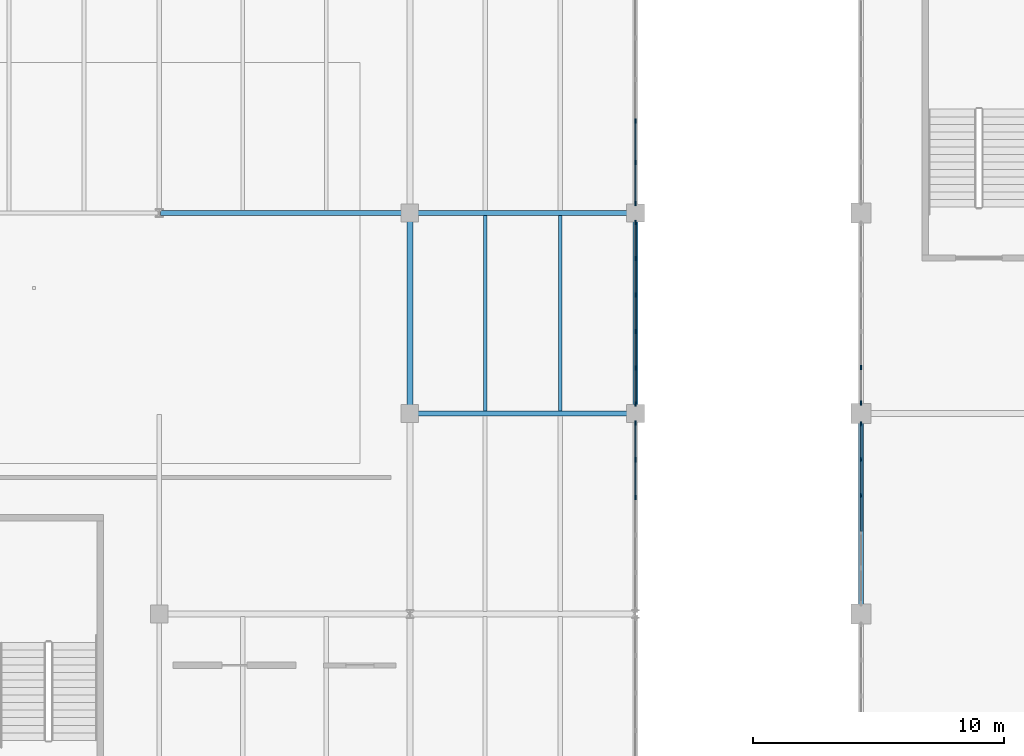
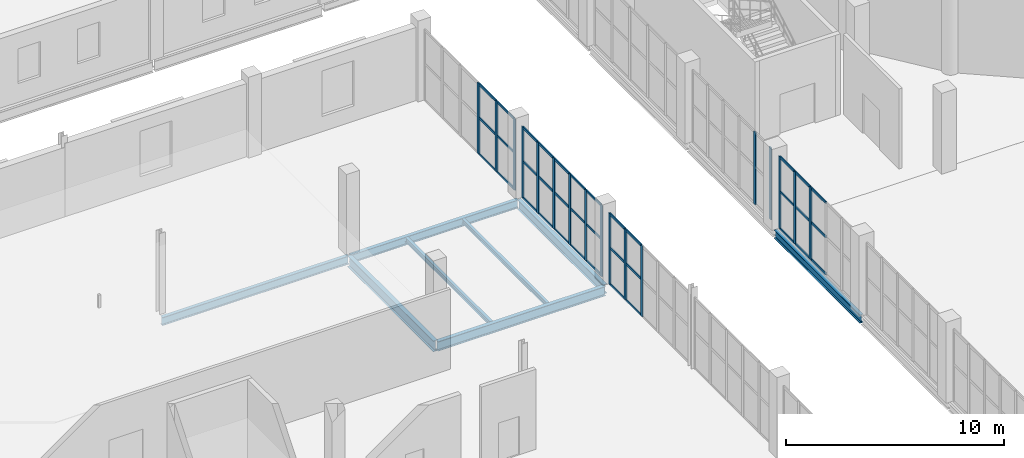
# One storey, part 27 of 93: 53 members, 8 beams, 5 elements without a shape of their own.
"""IFC4 building model written with IfcOpenShell, lengths in metres."""

from ifc_helpers import new_model, si_unit, direction, frame, origin, origin_2d, place, context, subcontext, project, spatial, rectangle, i_section, extrude, material, layer, layer_set, material_profile, profile_set, type_object, element, aggregate, save


model = new_model("IFC4")

# Units and contexts
model_context = context("Model", 3, precision=1e-05, world=origin(), true_north=direction((0.0, 1.0)))
body_context = subcontext(model_context, "Body", "Model", "MODEL_VIEW")
ifc_project = project(units=[si_unit("LENGTHUNIT", "METRE"), si_unit("AREAUNIT", "SQUARE_METRE"), si_unit("VOLUMEUNIT", "CUBIC_METRE"), si_unit("PLANEANGLEUNIT", "RADIAN"), si_unit("MASSUNIT", "GRAM", prefix="KILO")], contexts=[model_context])

# Site, building, storey
site_placement = place(None, origin())
site = spatial("IfcSite", under=ifc_project, at=site_placement, CompositionType="ELEMENT")
building_placement = place(site_placement, origin())
building = spatial("IfcBuilding", under=site, at=building_placement, Name="Marnock Terrace Opera House", CompositionType="ELEMENT")
storey_placement = place(building_placement, frame((0.0, 0.0, 5.39990234375)))
storey = spatial("IfcBuildingStorey", under=building, at=storey_placement, Name="L01", CompositionType="ELEMENT", Elevation=5.39990234375)

# Beams
ifc_material_1 = material(Name="Steel Grade 350 (AS/NZS 3679.1)", Category="steel")
ifc_material_profile_1 = material_profile(ifc_material_1, i_section(OverallWidth=0.19091796875, OverallDepth=0.46044921875, WebThickness=0.010009765625, FlangeThickness=0.01611328125, FilletRadius=0.011474609375, at=origin_2d()))
ifc_profile_set_1 = profile_set([ifc_material_profile_1], Name="Steel Grade 350 (AS/NZS 3679.1)")
beam_type_1 = type_object("IfcBeamType", Name="BM-GIRD-460A", PredefinedType="BEAM", material=ifc_profile_set_1)
beam_1_placement = place(storey_placement, frame((27.050048828125, 48.0, -0.510009765625), z_axis=(1.0, 0.0, 0.0), x_axis=(0.0, 1.0, 0.0)))
element("IfcBeam", 1, at=beam_1_placement, inside=storey, type_object=beam_type_1, Name="L01 girder (27.0..37.0, Y=48.0)", PredefinedType="BEAM", context=body_context, shape_type="SweptSolid", body=[
    extrude(i_section(OverallWidth=0.19091796875, OverallDepth=0.46044921875, WebThickness=0.010009765625, FlangeThickness=0.01611328125, FilletRadius=0.011474609375, at=origin_2d()), origin(), (0.0, 0.0, 1.0), 9.89990234375),
])
beam_2_placement = place(storey_placement, frame((37.050048828125, 48.0, -0.510009765625), z_axis=(1.0, 0.0, 0.0), x_axis=(0.0, 1.0, 0.0)))
element("IfcBeam", 2, at=beam_2_placement, inside=storey, type_object=beam_type_1, Name="L01 girder (37.0..46.0, Y=48.0)", PredefinedType="BEAM", context=body_context, shape_type="SweptSolid", body=[
    extrude(i_section(OverallWidth=0.19091796875, OverallDepth=0.46044921875, WebThickness=0.010009765625, FlangeThickness=0.01611328125, FilletRadius=0.011474609375, at=origin_2d()), origin(), (0.0, 0.0, 1.0), 8.89990234375),
])
ifc_material_profile_2 = material_profile(ifc_material_1, i_section(OverallWidth=0.18994140625, OverallDepth=0.45751953125, WebThickness=0.009033203125, FlangeThickness=0.014404296875, FilletRadius=0.011474609375, at=origin_2d()))
ifc_profile_set_2 = profile_set([ifc_material_profile_2], Name="Steel Grade 350 (AS/NZS 3679.1)")
beam_type_2 = type_object("IfcBeamType", Name="BM-GIRD-460B", PredefinedType="BEAM", material=ifc_profile_set_2)
beam_3_placement = place(storey_placement, frame((55.0, 32.050048828125, -0.508544921875), z_axis=(0.0, 1.0, 0.0), x_axis=(-1.0, 0.0, 0.0)))
element("IfcBeam", 3, at=beam_3_placement, inside=storey, type_object=beam_type_2, Name="L01 girder (X=55.0, 32.0..40.0)", PredefinedType="BEAM", context=body_context, shape_type="SweptSolid", body=[
    extrude(i_section(OverallWidth=0.18994140625, OverallDepth=0.45751953125, WebThickness=0.009033203125, FlangeThickness=0.014404296875, FilletRadius=0.011474609375, at=origin_2d()), origin(), (0.0, 0.0, 1.0), 7.89990234375),
])
ifc_material_profile_3 = material_profile(ifc_material_1, i_section(OverallWidth=0.208984375, OverallDepth=0.532958984375, WebThickness=0.01025390625, FlangeThickness=0.015625, FilletRadius=0.013916015625, at=origin_2d()))
ifc_profile_set_3 = profile_set([ifc_material_profile_3], Name="Steel Grade 350 (AS/NZS 3679.1)")
beam_type_3 = type_object("IfcBeamType", Name="BM-GIRD-530A", PredefinedType="BEAM", material=ifc_profile_set_3)
beam_4_placement = place(storey_placement, frame((37.050048828125, 40.0, -0.54638671875), z_axis=(1.0, 0.0, 0.0), x_axis=(0.0, 1.0, 0.0)))
element("IfcBeam", 4, at=beam_4_placement, inside=storey, type_object=beam_type_3, Name="L01 girder (37.0..46.0, Y=40.0)", PredefinedType="BEAM", context=body_context, shape_type="SweptSolid", body=[
    extrude(i_section(OverallWidth=0.208984375, OverallDepth=0.532958984375, WebThickness=0.01025390625, FlangeThickness=0.015625, FilletRadius=0.013916015625, at=origin_2d()), origin(), (0.0, 0.0, 1.0), 8.89990234375),
])
ifc_material_profile_4 = material_profile(ifc_material_1, i_section(OverallWidth=0.208984375, OverallDepth=0.528076171875, WebThickness=0.009521484375, FlangeThickness=0.01318359375, FilletRadius=0.013916015625, at=origin_2d()))
ifc_profile_set_4 = profile_set([ifc_material_profile_4], Name="Steel Grade 350 (AS/NZS 3679.1)")
beam_type_4 = type_object("IfcBeamType", Name="BM-GIRD-530B", PredefinedType="BEAM", material=ifc_profile_set_4)
beam_5_placement = place(storey_placement, frame((46.0, 40.050048828125, -0.5439453125), z_axis=(0.0, 1.0, 0.0), x_axis=(-1.0, 0.0, 0.0)))
element("IfcBeam", 5, at=beam_5_placement, inside=storey, type_object=beam_type_4, Name="L01 girder (X=46.0, 40.0..48.0)", PredefinedType="BEAM", context=body_context, shape_type="SweptSolid", body=[
    extrude(i_section(OverallWidth=0.208984375, OverallDepth=0.528076171875, WebThickness=0.009521484375, FlangeThickness=0.01318359375, FilletRadius=0.013916015625, at=origin_2d()), origin(), (0.0, 0.0, 1.0), 7.89990234375),
])
ifc_material_profile_5 = material_profile(ifc_material_1, i_section(OverallWidth=0.22802734375, OverallDepth=0.60205078125, WebThickness=0.010498046875, FlangeThickness=0.014892578125, FilletRadius=0.013916015625, at=origin_2d()))
ifc_profile_set_5 = profile_set([ifc_material_profile_5], Name="Steel Grade 350 (AS/NZS 3679.1)")
beam_type_5 = type_object("IfcBeamType", Name="BM-GIRD-610C", PredefinedType="BEAM", material=ifc_profile_set_5)
beam_6_placement = place(storey_placement, frame((37.0, 40.050048828125, -0.580810546875), z_axis=(0.0, 1.0, 0.0), x_axis=(-1.0, 0.0, 0.0)))
element("IfcBeam", 6, at=beam_6_placement, inside=storey, type_object=beam_type_5, Name="L01 girder (X=37.0, 40.0..48.0)", PredefinedType="BEAM", context=body_context, shape_type="SweptSolid", body=[
    extrude(i_section(OverallWidth=0.22802734375, OverallDepth=0.60205078125, WebThickness=0.010498046875, FlangeThickness=0.014892578125, FilletRadius=0.013916015625, at=origin_2d()), origin(), (0.0, 0.0, 1.0), 7.89990234375),
])
ifc_material_profile_6 = material_profile(ifc_material_1, i_section(OverallWidth=0.14599609375, OverallDepth=0.256103515625, WebThickness=0.00634765625, FlangeThickness=0.010986328125, FilletRadius=0.0087890625, at=origin_2d()))
ifc_profile_set_6 = profile_set([ifc_material_profile_6], Name="Steel Grade 350 (AS/NZS 3679.1)")
beam_type_6 = type_object("IfcBeamType", Name="BM-JOIST-250", PredefinedType="JOIST", material=ifc_profile_set_6)
for number, where, z_axis, x_axis, name in (
    (7, (40.0, 40.099609375, -0.407958984375), (0.0, 1.0, 0.0), (-1.0, 0.0, 0.0), "L01 secondary joist 4.5.1"),
    (8, (43.0, 40.099609375, -0.407958984375), (0.0, 1.0, 0.0), (-1.0, 0.0, 0.0), "L01 secondary joist 4.5.2"),
):
    element("IfcBeam", number, at=place(storey_placement, frame(where, z_axis=z_axis, x_axis=x_axis)), inside=storey, type_object=beam_type_6, Name=name, PredefinedType="JOIST", context=body_context, shape_type="SweptSolid", body=[
        extrude(i_section(OverallWidth=0.14599609375, OverallDepth=0.256103515625, WebThickness=0.00634765625, FlangeThickness=0.010986328125, FilletRadius=0.0087890625, at=origin_2d()), origin(), (0.0, 0.0, 1.0), 7.809814453125),
    ])

# Curtain wall, members
ifc_material_2 = material(Name="Anodised architectural bronze aluminium framing", Category="aluminium")
ifc_layer_1 = layer(ifc_material_2, 0.159912109375)
ifc_layer_set_1 = layer_set([ifc_layer_1], Name="Anodised architectural bronze aluminium framing")
curtain_wall_type_1 = type_object("IfcCurtainWallType", Name="CW-FOYER-80x45", PredefinedType="NOTDEFINED", material=ifc_layer_set_1)
curtain_wall_1_placement = place(storey_placement, origin())
curtain_wall_1 = element("IfcCurtainWall", 9, at=curtain_wall_1_placement, inside=storey, type_object=curtain_wall_type_1, Name="L01 glazed Beaux-Arts colonnade curtain wall CW-V1W-L01-04", PredefinedType="NOTDEFINED")
ifc_material_profile_7 = material_profile(ifc_material_2, rectangle(XDim=0.06494140625, YDim=0.179931640625, at=origin_2d()))
ifc_profile_set_7 = profile_set([ifc_material_profile_7], Name="Anodised architectural bronze aluminium framing")
member_type_1 = type_object("IfcMemberType", Name="CWM-65x180", PredefinedType="MULLION", material=ifc_profile_set_7)
member_1_placement = place(storey_placement, frame((55.0, 36.720703125, 0.0), z_axis=(0.0, 0.0, 1.0), x_axis=(-1.0, 0.0, 0.0)))
member_1 = element("IfcMember", 10, at=member_1_placement, type_object=member_type_1, Name="CW-87 mullion 4", PredefinedType="MULLION", context=body_context, shape_type="SweptSolid", body=[
    extrude(rectangle(XDim=0.06494140625, YDim=0.179931640625, at=origin_2d()), origin(), (0.0, 0.0, 1.0), 4.052734375),
])
member_2_placement = place(storey_placement, frame((55.0, 38.162353515625, 0.0), z_axis=(0.0, 0.0, 1.0), x_axis=(-1.0, 0.0, 0.0)))
member_2 = element("IfcMember", 11, at=member_2_placement, type_object=member_type_1, Name="CW-87 mullion 5", PredefinedType="MULLION", context=body_context, shape_type="SweptSolid", body=[
    extrude(rectangle(XDim=0.06494140625, YDim=0.179931640625, at=origin_2d()), origin(), (0.0, 0.0, 1.0), 4.052734375),
])
member_3_placement = place(storey_placement, frame((55.0, 39.573974609375, 0.0), z_axis=(0.0, 0.0, 1.0), x_axis=(-1.0, 0.0, 0.0)))
member_3 = element("IfcMember", 12, at=member_3_placement, type_object=member_type_1, Name="CW-87 mullion 6", PredefinedType="MULLION", context=body_context, shape_type="SweptSolid", body=[
    extrude(rectangle(XDim=0.06494140625, YDim=0.179931640625, at=origin_2d()), origin(), (0.0, 0.0, 1.0), 4.052734375),
])

curtain_wall_2_placement = place(storey_placement, origin())
curtain_wall_2 = element("IfcCurtainWall", 13, at=curtain_wall_2_placement, inside=storey, type_object=curtain_wall_type_1, Name="L01 glazed Beaux-Arts colonnade curtain wall CW-V1W-L01-05", PredefinedType="NOTDEFINED")
member_4_placement = place(storey_placement, frame((55.0, 40.426025390625, 0.0), z_axis=(0.0, 0.0, 1.0), x_axis=(-1.0, 0.0, 0.0)))
member_4 = element("IfcMember", 14, at=member_4_placement, type_object=member_type_1, Name="CW-87 mullion 1", PredefinedType="MULLION", context=body_context, shape_type="SweptSolid", body=[
    extrude(rectangle(XDim=0.06494140625, YDim=0.179931640625, at=origin_2d()), origin(), (0.0, 0.0, 1.0), 4.052734375),
])
member_5_placement = place(storey_placement, frame((55.0, 41.837646484375, 0.0), z_axis=(0.0, 0.0, 1.0), x_axis=(-1.0, 0.0, 0.0)))
member_5 = element("IfcMember", 15, at=member_5_placement, type_object=member_type_1, Name="CW-87 mullion 2", PredefinedType="MULLION", context=body_context, shape_type="SweptSolid", body=[
    extrude(rectangle(XDim=0.06494140625, YDim=0.179931640625, at=origin_2d()), origin(), (0.0, 0.0, 1.0), 4.052734375),
])
aggregate(curtain_wall_2, [member_4, member_5])

ifc_layer_2 = layer(ifc_material_2, 0.159912109375)
ifc_layer_set_2 = layer_set([ifc_layer_2], Name="Anodised architectural bronze aluminium framing")
curtain_wall_type_2 = type_object("IfcCurtainWallType", Name="CW-COURT-80x45", PredefinedType="NOTDEFINED", material=ifc_layer_set_2)
curtain_wall_3_placement = place(storey_placement, origin())
curtain_wall_3 = element("IfcCurtainWall", 16, at=curtain_wall_3_placement, inside=storey, type_object=curtain_wall_type_2, Name="L01 glazed Beaux-Arts colonnade curtain wall CW-V3E-L01-04", PredefinedType="NOTDEFINED")
member_6_placement = place(storey_placement, frame((46.0, 36.655029296875, 0.0), z_axis=(0.0, 0.0, 1.0), x_axis=(-1.0, 0.0, 0.0)))
member_6 = element("IfcMember", 17, at=member_6_placement, type_object=member_type_1, Name="CW-67 mullion 4", PredefinedType="MULLION", context=body_context, shape_type="SweptSolid", body=[
    extrude(rectangle(XDim=0.06494140625, YDim=0.179931640625, at=origin_2d()), origin(), (0.0, 0.0, 1.0), 3.982177734375),
])
member_7_placement = place(storey_placement, frame((46.0, 38.154541015625, 0.0), z_axis=(0.0, 0.0, 1.0), x_axis=(-1.0, 0.0, 0.0)))
member_7 = element("IfcMember", 18, at=member_7_placement, type_object=member_type_1, Name="CW-67 mullion 5", PredefinedType="MULLION", context=body_context, shape_type="SweptSolid", body=[
    extrude(rectangle(XDim=0.06494140625, YDim=0.179931640625, at=origin_2d()), origin(), (0.0, 0.0, 1.0), 3.982177734375),
])
member_8_placement = place(storey_placement, frame((46.0, 39.6240234375, 0.0), z_axis=(0.0, 0.0, 1.0), x_axis=(-1.0, 0.0, 0.0)))
member_8 = element("IfcMember", 19, at=member_8_placement, type_object=member_type_1, Name="CW-67 mullion 6", PredefinedType="MULLION", context=body_context, shape_type="SweptSolid", body=[
    extrude(rectangle(XDim=0.06494140625, YDim=0.179931640625, at=origin_2d()), origin(), (0.0, 0.0, 1.0), 3.982177734375),
])

curtain_wall_4_placement = place(storey_placement, origin())
curtain_wall_4 = element("IfcCurtainWall", 20, at=curtain_wall_4_placement, inside=storey, type_object=curtain_wall_type_2, Name="L01 glazed Beaux-Arts colonnade curtain wall CW-V3E-L01-05", PredefinedType="NOTDEFINED")
member_9_placement = place(storey_placement, frame((46.0, 40.3759765625, 0.0), z_axis=(0.0, 0.0, 1.0), x_axis=(-1.0, 0.0, 0.0)))
member_9 = element("IfcMember", 21, at=member_9_placement, type_object=member_type_1, Name="CW-67 mullion 1", PredefinedType="MULLION", context=body_context, shape_type="SweptSolid", body=[
    extrude(rectangle(XDim=0.06494140625, YDim=0.179931640625, at=origin_2d()), origin(), (0.0, 0.0, 1.0), 3.982177734375),
])
member_10_placement = place(storey_placement, frame((46.0, 41.8076171875, 0.0), z_axis=(0.0, 0.0, 1.0), x_axis=(-1.0, 0.0, 0.0)))
member_10 = element("IfcMember", 22, at=member_10_placement, type_object=member_type_1, Name="CW-67 mullion 2", PredefinedType="MULLION", context=body_context, shape_type="SweptSolid", body=[
    extrude(rectangle(XDim=0.06494140625, YDim=0.179931640625, at=origin_2d()), origin(), (0.0, 0.0, 1.0), 3.982177734375),
])
member_11_placement = place(storey_placement, frame((46.0, 43.269287109375, 0.0), z_axis=(0.0, 0.0, 1.0), x_axis=(-1.0, 0.0, 0.0)))
member_11 = element("IfcMember", 23, at=member_11_placement, type_object=member_type_1, Name="CW-67 mullion 3", PredefinedType="MULLION", context=body_context, shape_type="SweptSolid", body=[
    extrude(rectangle(XDim=0.06494140625, YDim=0.179931640625, at=origin_2d()), origin(), (0.0, 0.0, 1.0), 3.982177734375),
])
member_12_placement = place(storey_placement, frame((46.0, 44.730712890625, 0.0), z_axis=(0.0, 0.0, 1.0), x_axis=(-1.0, 0.0, 0.0)))
member_12 = element("IfcMember", 24, at=member_12_placement, type_object=member_type_1, Name="CW-67 mullion 4", PredefinedType="MULLION", context=body_context, shape_type="SweptSolid", body=[
    extrude(rectangle(XDim=0.06494140625, YDim=0.179931640625, at=origin_2d()), origin(), (0.0, 0.0, 1.0), 3.982177734375),
])
member_13_placement = place(storey_placement, frame((46.0, 46.1923828125, 0.0), z_axis=(0.0, 0.0, 1.0), x_axis=(-1.0, 0.0, 0.0)))
member_13 = element("IfcMember", 25, at=member_13_placement, type_object=member_type_1, Name="CW-67 mullion 5", PredefinedType="MULLION", context=body_context, shape_type="SweptSolid", body=[
    extrude(rectangle(XDim=0.06494140625, YDim=0.179931640625, at=origin_2d()), origin(), (0.0, 0.0, 1.0), 3.982177734375),
])
member_14_placement = place(storey_placement, frame((46.0, 47.6240234375, 0.0), z_axis=(0.0, 0.0, 1.0), x_axis=(-1.0, 0.0, 0.0)))
member_14 = element("IfcMember", 26, at=member_14_placement, type_object=member_type_1, Name="CW-67 mullion 6", PredefinedType="MULLION", context=body_context, shape_type="SweptSolid", body=[
    extrude(rectangle(XDim=0.06494140625, YDim=0.179931640625, at=origin_2d()), origin(), (0.0, 0.0, 1.0), 3.982177734375),
])

curtain_wall_5_placement = place(storey_placement, origin())
curtain_wall_5 = element("IfcCurtainWall", 27, at=curtain_wall_5_placement, inside=storey, type_object=curtain_wall_type_2, Name="L01 glazed Beaux-Arts colonnade curtain wall CW-V3E-L01-06", PredefinedType="NOTDEFINED")
member_15_placement = place(storey_placement, frame((46.0, 48.3759765625, 0.0), z_axis=(0.0, 0.0, 1.0), x_axis=(-1.0, 0.0, 0.0)))
member_15 = element("IfcMember", 28, at=member_15_placement, type_object=member_type_1, Name="CW-67 mullion 1", PredefinedType="MULLION", context=body_context, shape_type="SweptSolid", body=[
    extrude(rectangle(XDim=0.06494140625, YDim=0.179931640625, at=origin_2d()), origin(), (0.0, 0.0, 1.0), 3.982177734375),
])
member_16_placement = place(storey_placement, frame((46.0, 50.007568359375, 0.0), z_axis=(0.0, 0.0, 1.0), x_axis=(-1.0, 0.0, 0.0)))
member_16 = element("IfcMember", 29, at=member_16_placement, type_object=member_type_1, Name="CW-67 mullion 2", PredefinedType="MULLION", context=body_context, shape_type="SweptSolid", body=[
    extrude(rectangle(XDim=0.06494140625, YDim=0.179931640625, at=origin_2d()), origin(), (0.0, 0.0, 1.0), 3.982177734375),
])
member_17_placement = place(storey_placement, frame((46.0, 51.669189453125, 0.0), z_axis=(0.0, 0.0, 1.0), x_axis=(-1.0, 0.0, 0.0)))
member_17 = element("IfcMember", 30, at=member_17_placement, type_object=member_type_1, Name="CW-67 mullion 3", PredefinedType="MULLION", context=body_context, shape_type="SweptSolid", body=[
    extrude(rectangle(XDim=0.06494140625, YDim=0.179931640625, at=origin_2d()), origin(), (0.0, 0.0, 1.0), 3.982177734375),
])

# Member
ifc_material_profile_8 = material_profile(ifc_material_2, rectangle(XDim=0.06005859375, YDim=0.1298828125, at=origin_2d()))
ifc_profile_set_8 = profile_set([ifc_material_profile_8], Name="Anodised architectural bronze aluminium framing")
member_type_2 = type_object("IfcMemberType", Name="CWT-60x130", PredefinedType="USERDEFINED", material=ifc_profile_set_8)
member_18_placement = place(storey_placement, frame((55.0, 35.30908203125, 0.030029296875), z_axis=(0.0, 1.0, 0.0), x_axis=(-1.0, 0.0, 0.0)))
member_18 = element("IfcMember", 31, at=member_18_placement, type_object=member_type_2, Name="CW-87 transom 3.1", ObjectType="TRANSOM", PredefinedType="USERDEFINED", context=body_context, shape_type="SweptSolid", body=[
    extrude(rectangle(XDim=0.06005859375, YDim=0.1298828125, at=origin_2d()), origin(), (0.0, 0.0, 1.0), 1.3818359375),
])

member_19_placement = place(storey_placement, frame((55.0, 35.30908203125, 2.107421875), z_axis=(0.0, 1.0, 0.0), x_axis=(-1.0, 0.0, 0.0)))
member_19 = element("IfcMember", 32, at=member_19_placement, type_object=member_type_2, Name="CW-87 transom 3.2", ObjectType="TRANSOM", PredefinedType="USERDEFINED", context=body_context, shape_type="SweptSolid", body=[
    extrude(rectangle(XDim=0.06005859375, YDim=0.1298828125, at=origin_2d()), origin(), (0.0, 0.0, 1.0), 1.3818359375),
])

member_20_placement = place(storey_placement, frame((55.0, 35.30908203125, 4.022705078125), z_axis=(0.0, 1.0, 0.0), x_axis=(-1.0, 0.0, 0.0)))
member_20 = element("IfcMember", 33, at=member_20_placement, type_object=member_type_2, Name="CW-87 transom 3.3", ObjectType="TRANSOM", PredefinedType="USERDEFINED", context=body_context, shape_type="SweptSolid", body=[
    extrude(rectangle(XDim=0.06005859375, YDim=0.1298828125, at=origin_2d()), origin(), (0.0, 0.0, 1.0), 1.3818359375),
])

member_21_placement = place(storey_placement, frame((55.0, 36.750732421875, 0.030029296875), z_axis=(0.0, 1.0, 0.0), x_axis=(-1.0, 0.0, 0.0)))
member_21 = element("IfcMember", 34, at=member_21_placement, type_object=member_type_2, Name="CW-87 transom 4.1", ObjectType="TRANSOM", PredefinedType="USERDEFINED", context=body_context, shape_type="SweptSolid", body=[
    extrude(rectangle(XDim=0.06005859375, YDim=0.1298828125, at=origin_2d()), origin(), (0.0, 0.0, 1.0), 1.381591796875),
])

member_22_placement = place(storey_placement, frame((55.0, 36.750732421875, 2.107421875), z_axis=(0.0, 1.0, 0.0), x_axis=(-1.0, 0.0, 0.0)))
member_22 = element("IfcMember", 35, at=member_22_placement, type_object=member_type_2, Name="CW-87 transom 4.2", ObjectType="TRANSOM", PredefinedType="USERDEFINED", context=body_context, shape_type="SweptSolid", body=[
    extrude(rectangle(XDim=0.06005859375, YDim=0.1298828125, at=origin_2d()), origin(), (0.0, 0.0, 1.0), 1.381591796875),
])

member_23_placement = place(storey_placement, frame((55.0, 36.750732421875, 4.022705078125), z_axis=(0.0, 1.0, 0.0), x_axis=(-1.0, 0.0, 0.0)))
member_23 = element("IfcMember", 36, at=member_23_placement, type_object=member_type_2, Name="CW-87 transom 4.3", ObjectType="TRANSOM", PredefinedType="USERDEFINED", context=body_context, shape_type="SweptSolid", body=[
    extrude(rectangle(XDim=0.06005859375, YDim=0.1298828125, at=origin_2d()), origin(), (0.0, 0.0, 1.0), 1.381591796875),
])

member_24_placement = place(storey_placement, frame((55.0, 38.1923828125, 0.030029296875), z_axis=(0.0, 1.0, 0.0), x_axis=(-1.0, 0.0, 0.0)))
member_24 = element("IfcMember", 37, at=member_24_placement, type_object=member_type_2, Name="CW-87 transom 5.1", ObjectType="TRANSOM", PredefinedType="USERDEFINED", context=body_context, shape_type="SweptSolid", body=[
    extrude(rectangle(XDim=0.06005859375, YDim=0.1298828125, at=origin_2d()), origin(), (0.0, 0.0, 1.0), 1.3515625),
])

member_25_placement = place(storey_placement, frame((55.0, 38.1923828125, 2.107421875), z_axis=(0.0, 1.0, 0.0), x_axis=(-1.0, 0.0, 0.0)))
member_25 = element("IfcMember", 38, at=member_25_placement, type_object=member_type_2, Name="CW-87 transom 5.2", ObjectType="TRANSOM", PredefinedType="USERDEFINED", context=body_context, shape_type="SweptSolid", body=[
    extrude(rectangle(XDim=0.06005859375, YDim=0.1298828125, at=origin_2d()), origin(), (0.0, 0.0, 1.0), 1.3515625),
])

member_26_placement = place(storey_placement, frame((55.0, 38.1923828125, 4.022705078125), z_axis=(0.0, 1.0, 0.0), x_axis=(-1.0, 0.0, 0.0)))
member_26 = element("IfcMember", 39, at=member_26_placement, type_object=member_type_2, Name="CW-87 transom 5.3", ObjectType="TRANSOM", PredefinedType="USERDEFINED", context=body_context, shape_type="SweptSolid", body=[
    extrude(rectangle(XDim=0.06005859375, YDim=0.1298828125, at=origin_2d()), origin(), (0.0, 0.0, 1.0), 1.3515625),
])

aggregate(curtain_wall_1, [member_1, member_2, member_3, member_18, member_19, member_20, member_21, member_22, member_23, member_24, member_25, member_26])

member_27_placement = place(storey_placement, frame((46.0, 36.684814453125, 0.030029296875), z_axis=(0.0, 1.0, 0.0), x_axis=(-1.0, 0.0, 0.0)))
member_27 = element("IfcMember", 40, at=member_27_placement, type_object=member_type_2, Name="CW-67 transom 4.1", ObjectType="TRANSOM", PredefinedType="USERDEFINED", context=body_context, shape_type="SweptSolid", body=[
    extrude(rectangle(XDim=0.06005859375, YDim=0.1298828125, at=origin_2d()), origin(), (0.0, 0.0, 1.0), 1.439697265625),
])

member_28_placement = place(storey_placement, frame((46.0, 36.684814453125, 2.07080078125), z_axis=(0.0, 1.0, 0.0), x_axis=(-1.0, 0.0, 0.0)))
member_28 = element("IfcMember", 41, at=member_28_placement, type_object=member_type_2, Name="CW-67 transom 4.2", ObjectType="TRANSOM", PredefinedType="USERDEFINED", context=body_context, shape_type="SweptSolid", body=[
    extrude(rectangle(XDim=0.06005859375, YDim=0.1298828125, at=origin_2d()), origin(), (0.0, 0.0, 1.0), 1.439697265625),
])

member_29_placement = place(storey_placement, frame((46.0, 36.684814453125, 3.9521484375), z_axis=(0.0, 1.0, 0.0), x_axis=(-1.0, 0.0, 0.0)))
member_29 = element("IfcMember", 42, at=member_29_placement, type_object=member_type_2, Name="CW-67 transom 4.3", ObjectType="TRANSOM", PredefinedType="USERDEFINED", context=body_context, shape_type="SweptSolid", body=[
    extrude(rectangle(XDim=0.06005859375, YDim=0.1298828125, at=origin_2d()), origin(), (0.0, 0.0, 1.0), 1.439697265625),
])

member_30_placement = place(storey_placement, frame((46.0, 38.1845703125, 0.030029296875), z_axis=(0.0, 1.0, 0.0), x_axis=(-1.0, 0.0, 0.0)))
member_30 = element("IfcMember", 43, at=member_30_placement, type_object=member_type_2, Name="CW-67 transom 5.1", ObjectType="TRANSOM", PredefinedType="USERDEFINED", context=body_context, shape_type="SweptSolid", body=[
    extrude(rectangle(XDim=0.06005859375, YDim=0.1298828125, at=origin_2d()), origin(), (0.0, 0.0, 1.0), 1.409423828125),
])

member_31_placement = place(storey_placement, frame((46.0, 38.1845703125, 2.07080078125), z_axis=(0.0, 1.0, 0.0), x_axis=(-1.0, 0.0, 0.0)))
member_31 = element("IfcMember", 44, at=member_31_placement, type_object=member_type_2, Name="CW-67 transom 5.2", ObjectType="TRANSOM", PredefinedType="USERDEFINED", context=body_context, shape_type="SweptSolid", body=[
    extrude(rectangle(XDim=0.06005859375, YDim=0.1298828125, at=origin_2d()), origin(), (0.0, 0.0, 1.0), 1.409423828125),
])

member_32_placement = place(storey_placement, frame((46.0, 38.1845703125, 3.9521484375), z_axis=(0.0, 1.0, 0.0), x_axis=(-1.0, 0.0, 0.0)))
member_32 = element("IfcMember", 45, at=member_32_placement, type_object=member_type_2, Name="CW-67 transom 5.3", ObjectType="TRANSOM", PredefinedType="USERDEFINED", context=body_context, shape_type="SweptSolid", body=[
    extrude(rectangle(XDim=0.06005859375, YDim=0.1298828125, at=origin_2d()), origin(), (0.0, 0.0, 1.0), 1.409423828125),
])

aggregate(curtain_wall_3, [member_6, member_7, member_8, member_27, member_28, member_29, member_30, member_31, member_32])

member_33_placement = place(storey_placement, frame((46.0, 40.406005859375, 0.030029296875), z_axis=(0.0, 1.0, 0.0), x_axis=(-1.0, 0.0, 0.0)))
member_33 = element("IfcMember", 46, at=member_33_placement, type_object=member_type_2, Name="CW-67 transom 1.1", ObjectType="TRANSOM", PredefinedType="USERDEFINED", context=body_context, shape_type="SweptSolid", body=[
    extrude(rectangle(XDim=0.06005859375, YDim=0.1298828125, at=origin_2d()), origin(), (0.0, 0.0, 1.0), 1.37158203125),
])

member_34_placement = place(storey_placement, frame((46.0, 40.406005859375, 2.07080078125), z_axis=(0.0, 1.0, 0.0), x_axis=(-1.0, 0.0, 0.0)))
member_34 = element("IfcMember", 47, at=member_34_placement, type_object=member_type_2, Name="CW-67 transom 1.2", ObjectType="TRANSOM", PredefinedType="USERDEFINED", context=body_context, shape_type="SweptSolid", body=[
    extrude(rectangle(XDim=0.06005859375, YDim=0.1298828125, at=origin_2d()), origin(), (0.0, 0.0, 1.0), 1.37158203125),
])

member_35_placement = place(storey_placement, frame((46.0, 40.406005859375, 3.9521484375), z_axis=(0.0, 1.0, 0.0), x_axis=(-1.0, 0.0, 0.0)))
member_35 = element("IfcMember", 48, at=member_35_placement, type_object=member_type_2, Name="CW-67 transom 1.3", ObjectType="TRANSOM", PredefinedType="USERDEFINED", context=body_context, shape_type="SweptSolid", body=[
    extrude(rectangle(XDim=0.06005859375, YDim=0.1298828125, at=origin_2d()), origin(), (0.0, 0.0, 1.0), 1.37158203125),
])

member_36_placement = place(storey_placement, frame((46.0, 41.837646484375, 0.030029296875), z_axis=(0.0, 1.0, 0.0), x_axis=(-1.0, 0.0, 0.0)))
member_36 = element("IfcMember", 49, at=member_36_placement, type_object=member_type_2, Name="CW-67 transom 2.1", ObjectType="TRANSOM", PredefinedType="USERDEFINED", context=body_context, shape_type="SweptSolid", body=[
    extrude(rectangle(XDim=0.06005859375, YDim=0.1298828125, at=origin_2d()), origin(), (0.0, 0.0, 1.0), 1.401611328125),
])

member_37_placement = place(storey_placement, frame((46.0, 41.837646484375, 2.07080078125), z_axis=(0.0, 1.0, 0.0), x_axis=(-1.0, 0.0, 0.0)))
member_37 = element("IfcMember", 50, at=member_37_placement, type_object=member_type_2, Name="CW-67 transom 2.2", ObjectType="TRANSOM", PredefinedType="USERDEFINED", context=body_context, shape_type="SweptSolid", body=[
    extrude(rectangle(XDim=0.06005859375, YDim=0.1298828125, at=origin_2d()), origin(), (0.0, 0.0, 1.0), 1.401611328125),
])

member_38_placement = place(storey_placement, frame((46.0, 41.837646484375, 3.9521484375), z_axis=(0.0, 1.0, 0.0), x_axis=(-1.0, 0.0, 0.0)))
member_38 = element("IfcMember", 51, at=member_38_placement, type_object=member_type_2, Name="CW-67 transom 2.3", ObjectType="TRANSOM", PredefinedType="USERDEFINED", context=body_context, shape_type="SweptSolid", body=[
    extrude(rectangle(XDim=0.06005859375, YDim=0.1298828125, at=origin_2d()), origin(), (0.0, 0.0, 1.0), 1.401611328125),
])

member_39_placement = place(storey_placement, frame((46.0, 43.29931640625, 0.030029296875), z_axis=(0.0, 1.0, 0.0), x_axis=(-1.0, 0.0, 0.0)))
member_39 = element("IfcMember", 52, at=member_39_placement, type_object=member_type_2, Name="CW-67 transom 3.1", ObjectType="TRANSOM", PredefinedType="USERDEFINED", context=body_context, shape_type="SweptSolid", body=[
    extrude(rectangle(XDim=0.06005859375, YDim=0.1298828125, at=origin_2d()), origin(), (0.0, 0.0, 1.0), 1.4013671875),
])

member_40_placement = place(storey_placement, frame((46.0, 43.29931640625, 2.07080078125), z_axis=(0.0, 1.0, 0.0), x_axis=(-1.0, 0.0, 0.0)))
member_40 = element("IfcMember", 53, at=member_40_placement, type_object=member_type_2, Name="CW-67 transom 3.2", ObjectType="TRANSOM", PredefinedType="USERDEFINED", context=body_context, shape_type="SweptSolid", body=[
    extrude(rectangle(XDim=0.06005859375, YDim=0.1298828125, at=origin_2d()), origin(), (0.0, 0.0, 1.0), 1.4013671875),
])

member_41_placement = place(storey_placement, frame((46.0, 43.29931640625, 3.9521484375), z_axis=(0.0, 1.0, 0.0), x_axis=(-1.0, 0.0, 0.0)))
member_41 = element("IfcMember", 54, at=member_41_placement, type_object=member_type_2, Name="CW-67 transom 3.3", ObjectType="TRANSOM", PredefinedType="USERDEFINED", context=body_context, shape_type="SweptSolid", body=[
    extrude(rectangle(XDim=0.06005859375, YDim=0.1298828125, at=origin_2d()), origin(), (0.0, 0.0, 1.0), 1.4013671875),
])

member_42_placement = place(storey_placement, frame((46.0, 44.7607421875, 0.030029296875), z_axis=(0.0, 1.0, 0.0), x_axis=(-1.0, 0.0, 0.0)))
member_42 = element("IfcMember", 55, at=member_42_placement, type_object=member_type_2, Name="CW-67 transom 4.1", ObjectType="TRANSOM", PredefinedType="USERDEFINED", context=body_context, shape_type="SweptSolid", body=[
    extrude(rectangle(XDim=0.06005859375, YDim=0.1298828125, at=origin_2d()), origin(), (0.0, 0.0, 1.0), 1.401611328125),
])

member_43_placement = place(storey_placement, frame((46.0, 44.7607421875, 2.07080078125), z_axis=(0.0, 1.0, 0.0), x_axis=(-1.0, 0.0, 0.0)))
member_43 = element("IfcMember", 56, at=member_43_placement, type_object=member_type_2, Name="CW-67 transom 4.2", ObjectType="TRANSOM", PredefinedType="USERDEFINED", context=body_context, shape_type="SweptSolid", body=[
    extrude(rectangle(XDim=0.06005859375, YDim=0.1298828125, at=origin_2d()), origin(), (0.0, 0.0, 1.0), 1.401611328125),
])

member_44_placement = place(storey_placement, frame((46.0, 44.7607421875, 3.9521484375), z_axis=(0.0, 1.0, 0.0), x_axis=(-1.0, 0.0, 0.0)))
member_44 = element("IfcMember", 57, at=member_44_placement, type_object=member_type_2, Name="CW-67 transom 4.3", ObjectType="TRANSOM", PredefinedType="USERDEFINED", context=body_context, shape_type="SweptSolid", body=[
    extrude(rectangle(XDim=0.06005859375, YDim=0.1298828125, at=origin_2d()), origin(), (0.0, 0.0, 1.0), 1.401611328125),
])

member_45_placement = place(storey_placement, frame((46.0, 46.222412109375, 0.030029296875), z_axis=(0.0, 1.0, 0.0), x_axis=(-1.0, 0.0, 0.0)))
member_45 = element("IfcMember", 58, at=member_45_placement, type_object=member_type_2, Name="CW-67 transom 5.1", ObjectType="TRANSOM", PredefinedType="USERDEFINED", context=body_context, shape_type="SweptSolid", body=[
    extrude(rectangle(XDim=0.06005859375, YDim=0.1298828125, at=origin_2d()), origin(), (0.0, 0.0, 1.0), 1.37158203125),
])

member_46_placement = place(storey_placement, frame((46.0, 46.222412109375, 2.07080078125), z_axis=(0.0, 1.0, 0.0), x_axis=(-1.0, 0.0, 0.0)))
member_46 = element("IfcMember", 59, at=member_46_placement, type_object=member_type_2, Name="CW-67 transom 5.2", ObjectType="TRANSOM", PredefinedType="USERDEFINED", context=body_context, shape_type="SweptSolid", body=[
    extrude(rectangle(XDim=0.06005859375, YDim=0.1298828125, at=origin_2d()), origin(), (0.0, 0.0, 1.0), 1.37158203125),
])

member_47_placement = place(storey_placement, frame((46.0, 46.222412109375, 3.9521484375), z_axis=(0.0, 1.0, 0.0), x_axis=(-1.0, 0.0, 0.0)))
member_47 = element("IfcMember", 60, at=member_47_placement, type_object=member_type_2, Name="CW-67 transom 5.3", ObjectType="TRANSOM", PredefinedType="USERDEFINED", context=body_context, shape_type="SweptSolid", body=[
    extrude(rectangle(XDim=0.06005859375, YDim=0.1298828125, at=origin_2d()), origin(), (0.0, 0.0, 1.0), 1.37158203125),
])

aggregate(curtain_wall_4, [member_9, member_10, member_11, member_12, member_13, member_14, member_33, member_34, member_35, member_36, member_37, member_38, member_39, member_40, member_41, member_42, member_43, member_44, member_45, member_46, member_47])

member_48_placement = place(storey_placement, frame((46.0, 48.406005859375, 0.030029296875), z_axis=(0.0, 1.0, 0.0), x_axis=(-1.0, 0.0, 0.0)))
member_48 = element("IfcMember", 61, at=member_48_placement, type_object=member_type_2, Name="CW-67 transom 1.1", ObjectType="TRANSOM", PredefinedType="USERDEFINED", context=body_context, shape_type="SweptSolid", body=[
    extrude(rectangle(XDim=0.06005859375, YDim=0.1298828125, at=origin_2d()), origin(), (0.0, 0.0, 1.0), 1.571533203125),
])

member_49_placement = place(storey_placement, frame((46.0, 48.406005859375, 2.07080078125), z_axis=(0.0, 1.0, 0.0), x_axis=(-1.0, 0.0, 0.0)))
member_49 = element("IfcMember", 62, at=member_49_placement, type_object=member_type_2, Name="CW-67 transom 1.2", ObjectType="TRANSOM", PredefinedType="USERDEFINED", context=body_context, shape_type="SweptSolid", body=[
    extrude(rectangle(XDim=0.06005859375, YDim=0.1298828125, at=origin_2d()), origin(), (0.0, 0.0, 1.0), 1.571533203125),
])

member_50_placement = place(storey_placement, frame((46.0, 48.406005859375, 3.9521484375), z_axis=(0.0, 1.0, 0.0), x_axis=(-1.0, 0.0, 0.0)))
member_50 = element("IfcMember", 63, at=member_50_placement, type_object=member_type_2, Name="CW-67 transom 1.3", ObjectType="TRANSOM", PredefinedType="USERDEFINED", context=body_context, shape_type="SweptSolid", body=[
    extrude(rectangle(XDim=0.06005859375, YDim=0.1298828125, at=origin_2d()), origin(), (0.0, 0.0, 1.0), 1.571533203125),
])

member_51_placement = place(storey_placement, frame((46.0, 50.03759765625, 0.030029296875), z_axis=(0.0, 1.0, 0.0), x_axis=(-1.0, 0.0, 0.0)))
member_51 = element("IfcMember", 64, at=member_51_placement, type_object=member_type_2, Name="CW-67 transom 2.1", ObjectType="TRANSOM", PredefinedType="USERDEFINED", context=body_context, shape_type="SweptSolid", body=[
    extrude(rectangle(XDim=0.06005859375, YDim=0.1298828125, at=origin_2d()), origin(), (0.0, 0.0, 1.0), 1.6015625),
])

member_52_placement = place(storey_placement, frame((46.0, 50.03759765625, 2.07080078125), z_axis=(0.0, 1.0, 0.0), x_axis=(-1.0, 0.0, 0.0)))
member_52 = element("IfcMember", 65, at=member_52_placement, type_object=member_type_2, Name="CW-67 transom 2.2", ObjectType="TRANSOM", PredefinedType="USERDEFINED", context=body_context, shape_type="SweptSolid", body=[
    extrude(rectangle(XDim=0.06005859375, YDim=0.1298828125, at=origin_2d()), origin(), (0.0, 0.0, 1.0), 1.6015625),
])

member_53_placement = place(storey_placement, frame((46.0, 50.03759765625, 3.9521484375), z_axis=(0.0, 1.0, 0.0), x_axis=(-1.0, 0.0, 0.0)))
member_53 = element("IfcMember", 66, at=member_53_placement, type_object=member_type_2, Name="CW-67 transom 2.3", ObjectType="TRANSOM", PredefinedType="USERDEFINED", context=body_context, shape_type="SweptSolid", body=[
    extrude(rectangle(XDim=0.06005859375, YDim=0.1298828125, at=origin_2d()), origin(), (0.0, 0.0, 1.0), 1.6015625),
])

aggregate(curtain_wall_5, [member_15, member_16, member_17, member_48, member_49, member_50, member_51, member_52, member_53])

save(model, "model.ifc")
